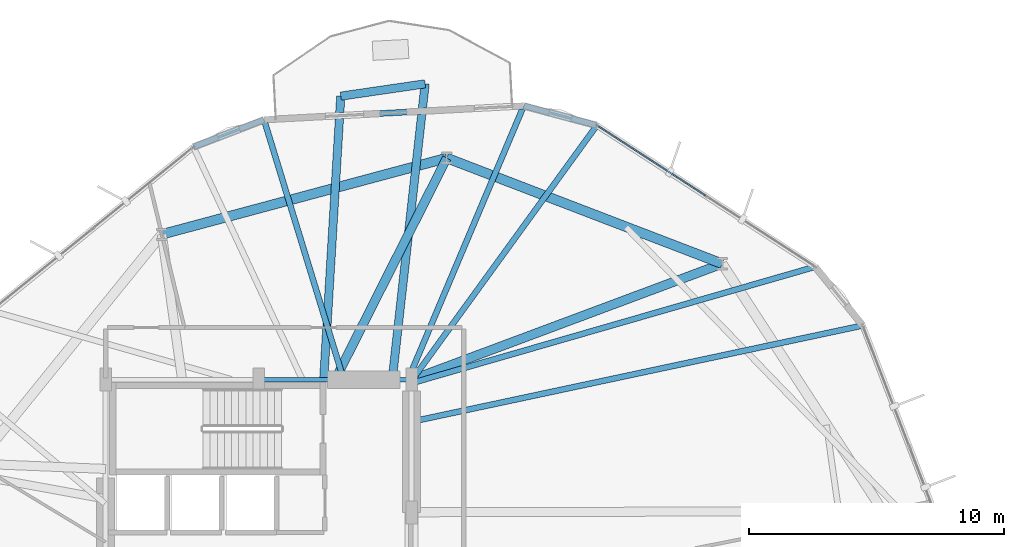
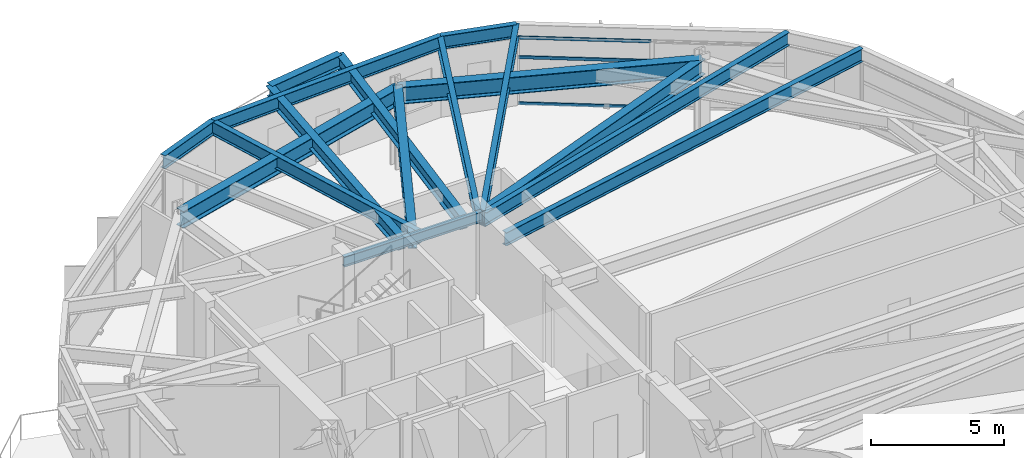
# One storey, part 13 of 23: 16 beams, 3 members, 1 element without a shape of its own.
"""IFC4 building model written with IfcOpenShell, lengths in metres."""

from ifc_helpers import new_model, si_unit, direction, frame, origin, origin_2d, place, context, subcontext, project, spatial, hollow_rectangle, i_section, extrude, material, layer, layer_set, material_profile, profile_set, type_object, element, aggregate, save


model = new_model("IFC4")

# Units and contexts
model_context = context("Model", 3, precision=1e-05, world=origin(), true_north=direction((0.0, 1.0)))
body_context = subcontext(model_context, "Body", "Model", "MODEL_VIEW")
ifc_project = project(units=[si_unit("LENGTHUNIT", "METRE"), si_unit("AREAUNIT", "SQUARE_METRE"), si_unit("VOLUMEUNIT", "CUBIC_METRE"), si_unit("PLANEANGLEUNIT", "RADIAN"), si_unit("MASSUNIT", "GRAM", prefix="KILO")], contexts=[model_context])

# Site, building, storey
site_placement = place(None, origin())
site = spatial("IfcSite", under=ifc_project, at=site_placement, CompositionType="ELEMENT")
building_placement = place(site_placement, origin())
building = spatial("IfcBuilding", under=site, at=building_placement, Name="Soratama Intermodal Tower", CompositionType="ELEMENT")
storey_placement = place(building_placement, frame((0.0, 0.0, 38.60009765625)))
storey = spatial("IfcBuildingStorey", under=building, at=storey_placement, Name="L08", CompositionType="ELEMENT", Elevation=38.60009765625)

# Beams
ifc_material_1 = material(Name="Structural steel ASTM A992 Grade 50", Category="steel")
ifc_material_profile_1 = material_profile(ifc_material_1, i_section(OverallWidth=0.324951171875, OverallDepth=0.615966796875, WebThickness=0.013916015625, FlangeThickness=0.021484375, FilletRadius=0.013916015625, at=origin_2d()), Name="W24X117")
ifc_profile_set_1 = profile_set([ifc_material_profile_1], Name="Structural steel ASTM A992 Grade 50")
beam_type_1 = type_object("IfcBeamType", Name="BM-CANT-W24X117", PredefinedType="BEAM", material=ifc_profile_set_1)
beam_1_placement = place(storey_placement, frame((45.131103515625, 46.60400390625, 3.391845703125), z_axis=(-0.989476874747, -0.144691099731, 0.0), x_axis=(0.144691099731, -0.989476874747, 0.0)))
element("IfcBeam", 1, at=beam_1_placement, inside=storey, type_object=beam_type_1, Name="BM-L08-CBHDR-2", PredefinedType="BEAM", context=body_context, shape_type="SweptSolid", body=[
    extrude(i_section(OverallWidth=0.324951171875, OverallDepth=0.615966796875, WebThickness=0.013916015625, FlangeThickness=0.021484375, FilletRadius=0.013916015625, at=origin_2d()), origin(), (0.0, 0.0, 1.0), 3.34423828125),
])
beam_2_placement = place(storey_placement, frame((43.844970703125, 35.0400390625, 3.391845703125), z_axis=(0.110537463068, 0.993871958181, 0.0), x_axis=(-0.993871958181, 0.110537463068, 0.0)))
element("IfcBeam", 2, at=beam_2_placement, inside=storey, type_object=beam_type_1, Name="BM-L08-CANT-2-1", PredefinedType="BEAM", context=body_context, shape_type="SweptSolid", body=[
    extrude(i_section(OverallWidth=0.324951171875, OverallDepth=0.615966796875, WebThickness=0.013916015625, FlangeThickness=0.021484375, FilletRadius=0.013916015625, at=origin_2d()), origin(), (0.0, 0.0, 1.0), 11.63525390625),
])
beam_3_placement = place(storey_placement, frame((41.155029296875, 35.0400390625, 3.391845703125), z_axis=(0.060088652328, 0.998193044386, 0.0), x_axis=(-0.998193044386, 0.060088652328, 0.0)))
element("IfcBeam", 3, at=beam_3_placement, inside=storey, type_object=beam_type_1, Name="BM-L08-CANT-2-2", PredefinedType="BEAM", context=body_context, shape_type="SweptSolid", body=[
    extrude(i_section(OverallWidth=0.324951171875, OverallDepth=0.615966796875, WebThickness=0.013916015625, FlangeThickness=0.021484375, FilletRadius=0.013916015625, at=origin_2d()), origin(), (0.0, 0.0, 1.0), 11.10009765625),
])
ifc_material_2 = material(Name="Structural steel ASTM A992 Grade 50", Category="steel")
ifc_material_profile_2 = material_profile(ifc_material_2, i_section(OverallWidth=0.19091796875, OverallDepth=0.4599609375, WebThickness=0.010009765625, FlangeThickness=0.01611328125, FilletRadius=0.010986328125, at=origin_2d()), Name="W18X55")
ifc_profile_set_2 = profile_set([ifc_material_profile_2], Name="Structural steel ASTM A992 Grade 50")
beam_type_2 = type_object("IfcBeamType", Name="BM-FLR-W18X55", PredefinedType="BEAM", material=ifc_profile_set_2)
beam_4_placement = place(storey_placement, frame((44.60009765625, 35.0, 3.469970703125), z_axis=(-1.0, 0.0, 0.0), x_axis=(0.0, -1.0, 0.0)))
element("IfcBeam", 4, at=beam_4_placement, inside=storey, type_object=beam_type_2, Name="BM-L08-CRING-06", PredefinedType="BEAM", context=body_context, shape_type="SweptSolid", body=[
    extrude(i_section(OverallWidth=0.19091796875, OverallDepth=0.4599609375, WebThickness=0.010009765625, FlangeThickness=0.01611328125, FilletRadius=0.010986328125, at=origin_2d()), origin(), (0.0, 0.0, 1.0), 6.0),
])
ifc_material_3 = material(Name="Structural steel ASTM A992 Grade 50", Category="steel")
ifc_material_profile_3 = material_profile(ifc_material_3, i_section(OverallWidth=0.35498046875, OverallDepth=0.695068359375, WebThickness=0.015380859375, FlangeThickness=0.02490234375, FilletRadius=0.01611328125, at=origin_2d()), Name="W27X146")
ifc_profile_set_3 = profile_set([ifc_material_profile_3], Name="Structural steel ASTM A992 Grade 50")
beam_type_3 = type_object("IfcBeamType", Name="BM-RING-W27X146", PredefinedType="BEAM", material=ifc_profile_set_3)
beam_5_placement = place(storey_placement, frame((44.60009765625, 35.0, 3.352294921875), z_axis=(0.936827486358, 0.349791739189, 0.0), x_axis=(-0.349791739189, 0.936827486358, 0.0)))
element("IfcBeam", 5, at=beam_5_placement, inside=storey, type_object=beam_type_3, Name="BM-L08-RAD-02", PredefinedType="BEAM", context=body_context, shape_type="SweptSolid", body=[
    extrude(i_section(OverallWidth=0.35498046875, OverallDepth=0.695068359375, WebThickness=0.015380859375, FlangeThickness=0.02490234375, FilletRadius=0.01611328125, at=origin_2d()), origin(), (0.0, 0.0, 1.0), 13.002197265625),
])
beam_6_placement = place(storey_placement, frame((41.60009765625, 35.0, 3.352294921875), z_axis=(0.449910017166, 0.893073891934, 0.0), x_axis=(-0.893073891934, 0.449910017166, 0.0)))
element("IfcBeam", 6, at=beam_6_placement, inside=storey, type_object=beam_type_3, Name="BM-L08-RAD-03", PredefinedType="BEAM", context=body_context, shape_type="SweptSolid", body=[
    extrude(i_section(OverallWidth=0.35498046875, OverallDepth=0.695068359375, WebThickness=0.015380859375, FlangeThickness=0.02490234375, FilletRadius=0.01611328125, at=origin_2d()), origin(), (0.0, 0.0, 1.0), 9.735107421875),
])
ifc_material_4 = material(Name="Structural steel ASTM A992 Grade 50", Category="steel")
ifc_material_profile_4 = material_profile(ifc_material_4, i_section(OverallWidth=0.382080078125, OverallDepth=0.779052734375, WebThickness=0.01806640625, FlangeThickness=0.030029296875, FilletRadius=0.01806640625, at=origin_2d()), Name="W30X191")
ifc_profile_set_4 = profile_set([ifc_material_profile_4], Name="Structural steel ASTM A992 Grade 50")
beam_type_4 = type_object("IfcBeamType", Name="BM-RING-W30X191", PredefinedType="BEAM", material=ifc_profile_set_4)
beam_7_placement = place(storey_placement, frame((56.781005859375, 39.548095703125, 3.310302734375), z_axis=(-0.933584159632, 0.358358224246, 0.0), x_axis=(-0.358358224246, -0.933584159632, 0.0)))
element("IfcBeam", 7, at=beam_7_placement, inside=storey, type_object=beam_type_4, Name="BM-L08-RING-02", PredefinedType="BEAM", context=body_context, shape_type="SweptSolid", body=[
    extrude(i_section(OverallWidth=0.382080078125, OverallDepth=0.779052734375, WebThickness=0.01806640625, FlangeThickness=0.030029296875, FilletRadius=0.01806640625, at=origin_2d()), origin(), (0.0, 0.0, 1.0), 11.5693359375),
])
beam_8_placement = place(storey_placement, frame((45.97998046875, 43.694091796875, 3.310302734375), z_axis=(-0.965935902196, -0.258781438376, 0.0), x_axis=(0.258781438376, -0.965935902196, 0.0)))
element("IfcBeam", 8, at=beam_8_placement, inside=storey, type_object=beam_type_4, Name="BM-L08-RING-03", PredefinedType="BEAM", context=body_context, shape_type="SweptSolid", body=[
    extrude(i_section(OverallWidth=0.382080078125, OverallDepth=0.779052734375, WebThickness=0.01806640625, FlangeThickness=0.030029296875, FilletRadius=0.01806640625, at=origin_2d()), origin(), (0.0, 0.0, 1.0), 11.570068359375),
])
ifc_material_5 = material(Name="Structural steel ASTM A992 Grade 50", Category="steel")
ifc_material_profile_5 = material_profile(ifc_material_5, i_section(OverallWidth=0.22900390625, OverallDepth=0.612060546875, WebThickness=0.011962890625, FlangeThickness=0.01953125, FilletRadius=0.012939453125, at=origin_2d()), Name="W24X84")
ifc_profile_set_5 = profile_set([ifc_material_profile_5], Name="Structural steel ASTM A992 Grade 50")
beam_type_5 = type_object("IfcBeamType", Name="BM-SPN-W24X84", PredefinedType="SPANDREL", material=ifc_profile_set_5)
beam_9_placement = place(storey_placement, frame((51.864990234375, 44.97607421875, 3.393798828125), z_axis=(-0.966181642502, 0.25786243172, 0.0), x_axis=(-0.25786243172, -0.966181642502, 0.0)))
element("IfcBeam", 9, at=beam_9_placement, inside=storey, type_object=beam_type_5, Name="BS-L08-CRN02", PredefinedType="SPANDREL", context=body_context, shape_type="SweptSolid", body=[
    extrude(i_section(OverallWidth=0.22900390625, OverallDepth=0.612060546875, WebThickness=0.011962890625, FlangeThickness=0.01953125, FilletRadius=0.012939453125, at=origin_2d()), origin(), (0.0, 0.0, 1.0), 2.96630859375),
])
beam_10_placement = place(storey_placement, frame((48.9990234375, 45.740966796875, 3.393798828125), z_axis=(-0.998577476633, -0.05332000714, 0.0), x_axis=(0.05332000714, -0.998577476633, 0.0)))
element("IfcBeam", 10, at=beam_10_placement, inside=storey, type_object=beam_type_5, Name="BS-L08-F03", PredefinedType="SPANDREL", context=body_context, shape_type="SweptSolid", body=[
    extrude(i_section(OverallWidth=0.22900390625, OverallDepth=0.612060546875, WebThickness=0.011962890625, FlangeThickness=0.01953125, FilletRadius=0.012939453125, at=origin_2d()), origin(), (0.0, 0.0, 1.0), 10.201416015625),
])
beam_11_placement = place(storey_placement, frame((38.81201171875, 45.197021484375, 3.393798828125), z_axis=(-0.933063223578, -0.359712414029, 0.0), x_axis=(0.359712414029, -0.933063223578, 0.0)))
element("IfcBeam", 11, at=beam_11_placement, inside=storey, type_object=beam_type_5, Name="BS-L08-CRN03", PredefinedType="SPANDREL", context=body_context, shape_type="SweptSolid", body=[
    extrude(i_section(OverallWidth=0.22900390625, OverallDepth=0.612060546875, WebThickness=0.011962890625, FlangeThickness=0.01953125, FilletRadius=0.012939453125, at=origin_2d()), origin(), (0.0, 0.0, 1.0), 2.966552734375),
])
ifc_material_6 = material(Name="Structural steel ASTM A992 Grade 50", Category="steel")
ifc_material_profile_6 = material_profile(ifc_material_6, i_section(OverallWidth=0.22900390625, OverallDepth=0.612060546875, WebThickness=0.011962890625, FlangeThickness=0.01953125, FilletRadius=0.012939453125, at=origin_2d()), Name="W24X84")
ifc_profile_set_6 = profile_set([ifc_material_profile_6], Name="Structural steel ASTM A992 Grade 50")
beam_type_6 = type_object("IfcBeamType", Name="BM-TIE-W24X84", PredefinedType="BEAM", material=ifc_profile_set_6)
beam_12_placement = place(storey_placement, frame((44.638916015625, 33.362060546875, 3.393798828125), z_axis=(0.97802567874, 0.20848446399, 0.0), x_axis=(-0.20848446399, 0.97802567874, 0.0)))
element("IfcBeam", 12, at=beam_12_placement, inside=storey, type_object=beam_type_6, Name="BM-L08-TIE1-01", PredefinedType="BEAM", context=body_context, shape_type="SweptSolid", body=[
    extrude(i_section(OverallWidth=0.22900390625, OverallDepth=0.612060546875, WebThickness=0.011962890625, FlangeThickness=0.01953125, FilletRadius=0.012939453125, at=origin_2d()), origin(), (0.0, 0.0, 1.0), 18.0537109375),
])
beam_13_placement = place(storey_placement, frame((44.637939453125, 34.8759765625, 3.393798828125), z_axis=(0.960848848086, 0.277073079044, 0.0), x_axis=(-0.277073079044, 0.960848848086, 0.0)))
element("IfcBeam", 13, at=beam_13_placement, inside=storey, type_object=beam_type_6, Name="BM-L08-TIE0-02", PredefinedType="BEAM", context=body_context, shape_type="SweptSolid", body=[
    extrude(i_section(OverallWidth=0.22900390625, OverallDepth=0.612060546875, WebThickness=0.011962890625, FlangeThickness=0.01953125, FilletRadius=0.012939453125, at=origin_2d()), origin(), (0.0, 0.0, 1.0), 16.432373046875),
])
beam_14_placement = place(storey_placement, frame((44.623046875, 34.99609375, 3.393798828125), z_axis=(0.587310784698, 0.809361502777, 0.0), x_axis=(-0.809361502777, 0.587310784698, 0.0)))
element("IfcBeam", 14, at=beam_14_placement, inside=storey, type_object=beam_type_6, Name="BM-L08-TIE1-02", PredefinedType="BEAM", context=body_context, shape_type="SweptSolid", body=[
    extrude(i_section(OverallWidth=0.22900390625, OverallDepth=0.612060546875, WebThickness=0.011962890625, FlangeThickness=0.01953125, FilletRadius=0.012939453125, at=origin_2d()), origin(), (0.0, 0.0, 1.0), 12.33056640625),
])
beam_15_placement = place(storey_placement, frame((44.47412109375, 35.037109375, 3.393798828125), z_axis=(0.389373373545, 0.921080005197, 0.0), x_axis=(-0.921080005197, 0.389373373545, 0.0)))
element("IfcBeam", 15, at=beam_15_placement, inside=storey, type_object=beam_type_6, Name="BM-L08-TIE0-03", PredefinedType="BEAM", context=body_context, shape_type="SweptSolid", body=[
    extrude(i_section(OverallWidth=0.22900390625, OverallDepth=0.612060546875, WebThickness=0.011962890625, FlangeThickness=0.01953125, FilletRadius=0.012939453125, at=origin_2d()), origin(), (0.0, 0.0, 1.0), 11.62109375),
])
beam_16_placement = place(storey_placement, frame((41.925048828125, 35.0380859375, 3.393798828125), z_axis=(-0.292986087753, 0.956116704374, 0.0), x_axis=(-0.956116704374, -0.292986087753, 0.0)))
element("IfcBeam", 16, at=beam_16_placement, inside=storey, type_object=beam_type_6, Name="BM-L08-TIE1-03", PredefinedType="BEAM", context=body_context, shape_type="SweptSolid", body=[
    extrude(i_section(OverallWidth=0.22900390625, OverallDepth=0.612060546875, WebThickness=0.011962890625, FlangeThickness=0.01953125, FilletRadius=0.012939453125, at=origin_2d()), origin(), (0.0, 0.0, 1.0), 10.625244140625),
])

# Curtain wall, members
ifc_material_7 = material(Name="Double-glazed aluminium curtain wall", Category="aluminium")
ifc_layer = layer(ifc_material_7, 0.159912109375)
ifc_layer_set = layer_set([ifc_layer], Name="Double-glazed aluminium curtain wall")
curtain_wall_type = type_object("IfcCurtainWallType", Name="CW-SYS-2", PredefinedType="NOTDEFINED", material=ifc_layer_set)
curtain_wall_placement = place(storey_placement, origin())
curtain_wall = element("IfcCurtainWall", 17, at=curtain_wall_placement, inside=storey, type_object=curtain_wall_type, Name="L08 Faceted Curtain Wall F02", PredefinedType="NOTDEFINED")
ifc_material_8 = material(Name="Anodised aluminium AA 6063-T6", Category="aluminium")
ifc_material_profile_7 = material_profile(ifc_material_8, hollow_rectangle(XDim=0.06494140625, YDim=0.14990234375, WallThickness=0.0048828125, InnerFilletRadius=0.0048828125, OuterFilletRadius=0.010009765625, at=origin_2d()), Name="CWT150X65X5")
ifc_profile_set_7 = profile_set([ifc_material_profile_7], Name="Anodised aluminium AA 6063-T6")
member_type = type_object("IfcMemberType", Name="TT-CWT-1", PredefinedType="USERDEFINED", material=ifc_profile_set_7)
member_1_placement = place(storey_placement, frame((56.120849609375, 42.218994140625, 0.02978515625), z_axis=(-0.839235341907, 0.543768370627, 0.0), x_axis=(-0.543768370627, -0.839235341907, 0.0)))
member_1 = element("IfcMember", 18, at=member_1_placement, type_object=member_type, Name="CW-2 transom 2.1", ObjectType="TRANSOM", PredefinedType="USERDEFINED", context=body_context, shape_type="SweptSolid", body=[
    extrude(hollow_rectangle(XDim=0.06494140625, YDim=0.14990234375, WallThickness=0.0048828125, InnerFilletRadius=0.0048828125, OuterFilletRadius=0.010009765625, at=origin_2d()), origin(), (0.0, 0.0, 1.0), 5.010498046875),
])
member_2_placement = place(storey_placement, frame((56.120849609375, 42.218994140625, 2.14990234375), z_axis=(-0.839235341907, 0.543768370627, 0.0), x_axis=(-0.543768370627, -0.839235341907, 0.0)))
member_2 = element("IfcMember", 19, at=member_2_placement, type_object=member_type, Name="CW-2 transom 2.2", ObjectType="TRANSOM", PredefinedType="USERDEFINED", context=body_context, shape_type="SweptSolid", body=[
    extrude(hollow_rectangle(XDim=0.06494140625, YDim=0.14990234375, WallThickness=0.0048828125, InnerFilletRadius=0.0048828125, OuterFilletRadius=0.010009765625, at=origin_2d()), origin(), (0.0, 0.0, 1.0), 5.010498046875),
])
member_3_placement = place(storey_placement, frame((56.120849609375, 42.218994140625, 3.048828125), z_axis=(-0.839235341907, 0.543768370627, 0.0), x_axis=(-0.543768370627, -0.839235341907, 0.0)))
member_3 = element("IfcMember", 20, at=member_3_placement, type_object=member_type, Name="CW-2 transom 2.3", ObjectType="TRANSOM", PredefinedType="USERDEFINED", context=body_context, shape_type="SweptSolid", body=[
    extrude(hollow_rectangle(XDim=0.06494140625, YDim=0.14990234375, WallThickness=0.0048828125, InnerFilletRadius=0.0048828125, OuterFilletRadius=0.010009765625, at=origin_2d()), origin(), (0.0, 0.0, 1.0), 5.010498046875),
])
aggregate(curtain_wall, [member_1, member_2, member_3])

save(model, "model.ifc")
